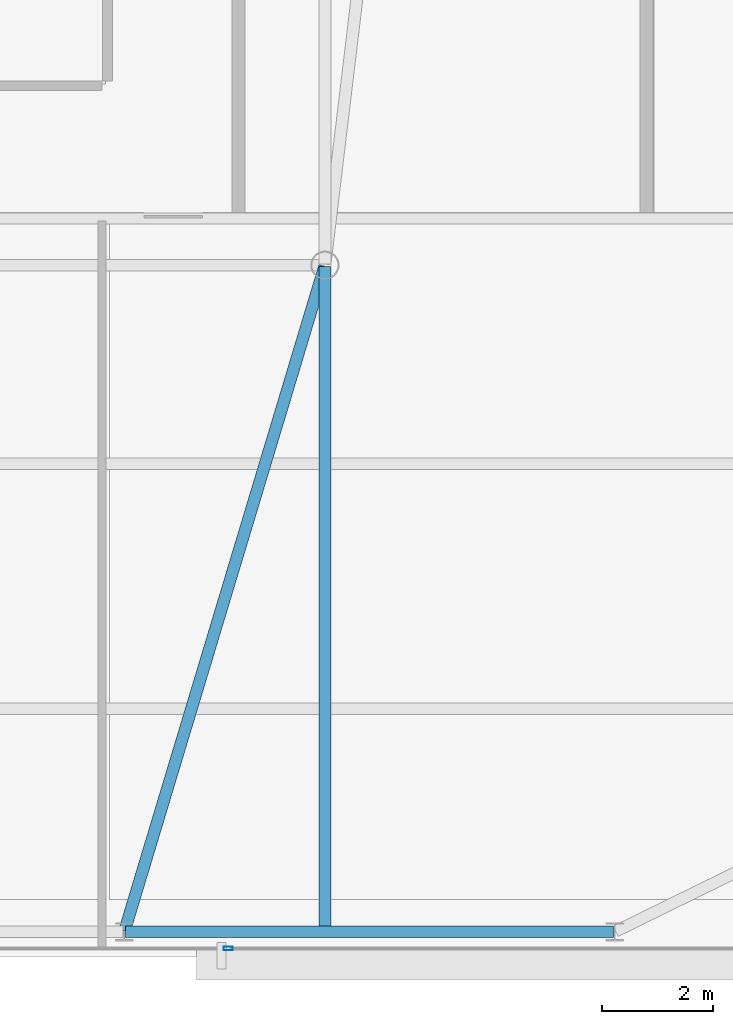
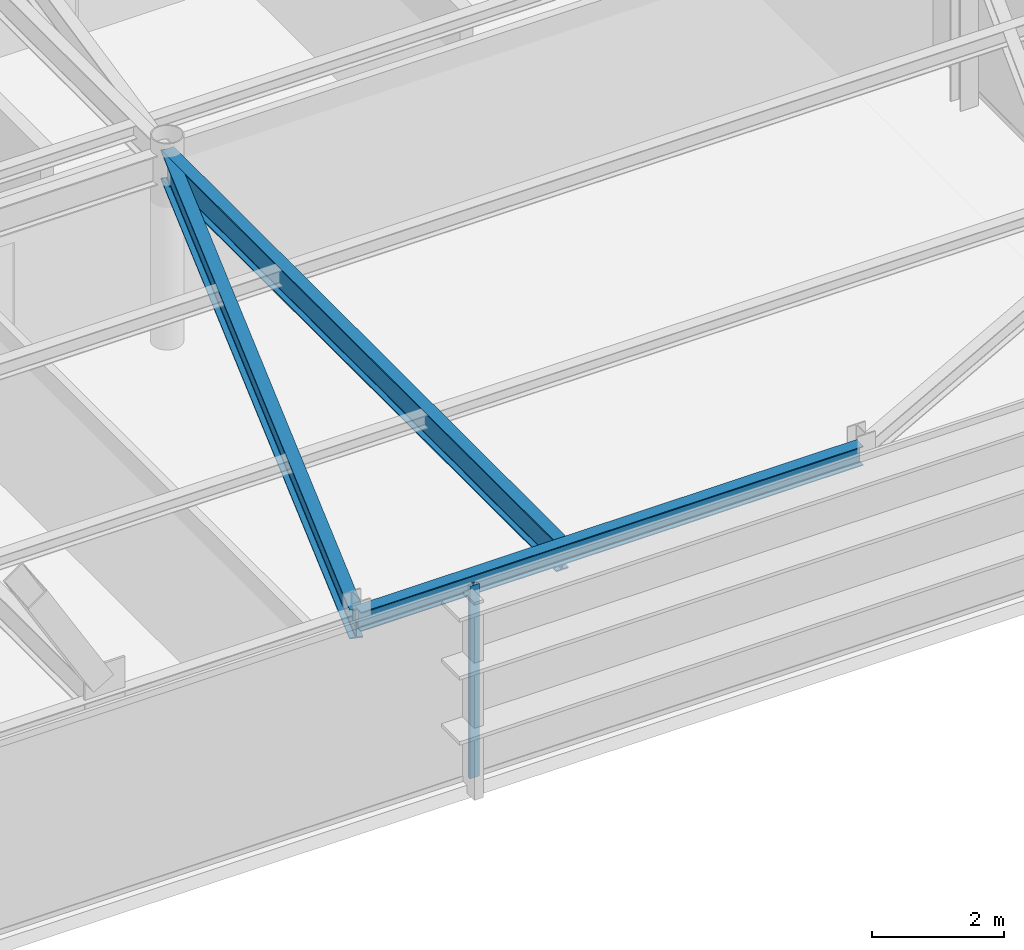
# One storey, part 8 of 24: 3 beams, 1 member, 1 element without a shape of its own.
"""IFC4 building model written with IfcOpenShell, lengths in metres."""

from ifc_helpers import new_model, si_unit, direction, frame, origin, origin_2d, place, context, subcontext, project, spatial, hollow_rectangle, i_section, extrude, source, transform, mapped, material, layer, layer_set, material_profile, profile_set, type_object, type_shapes, element, aggregate, save


model = new_model("IFC4")

# Units and contexts
model_context = context("Model", 3, precision=1e-05, world=origin(), true_north=direction((0.0, 1.0)))
body_context = subcontext(model_context, "Body", "Model", "MODEL_VIEW")
ifc_project = project(units=[si_unit("LENGTHUNIT", "METRE"), si_unit("AREAUNIT", "SQUARE_METRE"), si_unit("VOLUMEUNIT", "CUBIC_METRE"), si_unit("PLANEANGLEUNIT", "RADIAN"), si_unit("MASSUNIT", "GRAM", prefix="KILO")], contexts=[model_context])

# Site, building, storey
site_placement = place(None, origin())
site = spatial("IfcSite", under=ifc_project, at=site_placement, CompositionType="ELEMENT")
building_placement = place(site_placement, origin())
building = spatial("IfcBuilding", under=site, at=building_placement, Name="Varnel Quay Broadcast Tower", CompositionType="ELEMENT")
storey_placement = place(building_placement, frame((0.0, 0.0, 277.39990234375)))
storey = spatial("IfcBuildingStorey", under=building, at=storey_placement, Name="L69", CompositionType="ELEMENT", Elevation=277.39990234375)

# Beams
ifc_material_1 = material(Name="Structural Steel CSA G40.21 350W", Category="steel")
ifc_material_profile_1 = material_profile(ifc_material_1, i_section(OverallWidth=0.205078125, OverallDepth=0.35400390625, WebThickness=0.009521484375, FlangeThickness=0.016845703125, FilletRadius=0.012939453125, at=origin_2d()), Name="W360X79")
ifc_profile_set_1 = profile_set([ifc_material_profile_1], Name="Structural Steel CSA G40.21 350W")
beam_type_1 = type_object("IfcBeamType", Name="Beam_W360X79", PredefinedType="SPANDREL", material=ifc_profile_set_1)
shared_shape_1 = source(origin(), body_context, "Body", "SweptSolid", [
    extrude(i_section(OverallWidth=0.205078125, OverallDepth=0.35400390625, WebThickness=0.009521484375, FlangeThickness=0.016845703125, FilletRadius=0.012939453125, at=origin_2d()), origin(), (0.0, 0.0, 1.0), 8.760009765625),
])
type_shapes(beam_type_1, [shared_shape_1])
beam_1_placement = place(storey_placement, frame((38.419921875, 13.64990234375, 3.373046875), z_axis=(1.0, 0.0, 0.0), x_axis=(0.0, 1.0, 0.0)))
element("IfcBeam", 1, at=beam_1_placement, inside=storey, type_object=beam_type_1, Name="L69 South Spandrel TC-S3-TC-S4", PredefinedType="SPANDREL", context=body_context, shape_type="MappedRepresentation", body=[
    mapped(shared_shape_1, transform((0.0, 0.0, 0.0), x_axis=(1.0, 0.0, 0.0), y_axis=(0.0, 1.0, 0.0), z_axis=(0.0, 0.0, 1.0), scale=1.0)),
])
ifc_material_profile_2 = material_profile(ifc_material_1, i_section(OverallWidth=0.2119140625, OverallDepth=0.5439453125, WebThickness=0.01318359375, FlangeThickness=0.021240234375, FilletRadius=0.013916015625, at=origin_2d()), Name="W530X123")
ifc_profile_set_2 = profile_set([ifc_material_profile_2], Name="Structural Steel CSA G40.21 350W")
beam_type_2 = type_object("IfcBeamType", Name="Girder_W530X123", PredefinedType="BEAM", material=ifc_profile_set_2)
shared_shape_2 = source(origin(), body_context, "Body", "SweptSolid", [
    extrude(i_section(OverallWidth=0.2119140625, OverallDepth=0.5439453125, WebThickness=0.01318359375, FlangeThickness=0.021240234375, FilletRadius=0.013916015625, at=origin_2d()), origin(), (0.0, 0.0, 1.0), 12.449951171875),
])
beam_2_placement = place(storey_placement, frame((38.40576171875, 13.669189453125, 3.278076171875), z_axis=(0.28822390679, 0.957563042078, 0.0), x_axis=(-0.957563042078, 0.28822390679, 0.0)))
element("IfcBeam", 2, at=beam_2_placement, inside=storey, type_object=beam_type_2, Name="L69 Primary Girder TC-S3-IC-02", PredefinedType="BEAM", context=body_context, shape_type="MappedRepresentation", body=[
    mapped(shared_shape_2, transform((0.0, 0.0, 0.0), x_axis=(1.0, 0.0, 0.0), y_axis=(0.0, 1.0, 0.0), z_axis=(0.0, 0.0, 1.0), scale=1.0)),
])
shared_shape_3 = source(origin(), body_context, "Body", "SweptSolid", [
    extrude(i_section(OverallWidth=0.2119140625, OverallDepth=0.5439453125, WebThickness=0.01318359375, FlangeThickness=0.021240234375, FilletRadius=0.013916015625, at=origin_2d()), origin(), (0.0, 0.0, 1.0), 11.920166015625),
])
type_shapes(beam_type_2, [shared_shape_2, shared_shape_3])
beam_3_placement = place(storey_placement, frame((42.0, 13.669921875, 3.278076171875), z_axis=(0.0, 1.0, 0.0), x_axis=(-1.0, 0.0, 0.0)))
element("IfcBeam", 3, at=beam_3_placement, inside=storey, type_object=beam_type_2, Name="L69 N-S Joist Header IC-02S", PredefinedType="BEAM", context=body_context, shape_type="MappedRepresentation", body=[
    mapped(shared_shape_3, transform((0.0, 0.0, 0.0), x_axis=(1.0, 0.0, 0.0), y_axis=(0.0, 1.0, 0.0), z_axis=(0.0, 0.0, 1.0), scale=1.0)),
])

# Curtain wall, member
ifc_material_2 = material(Name="Anodised Bronze Aluminium 6063-T6", Category="aluminium")
ifc_layer = layer(ifc_material_2, 0.18994140625, Name="Anodised Bronze Aluminium 6063-T6")
ifc_layer_set = layer_set([ifc_layer], Name="Anodised Bronze Aluminium 6063-T6")
curtain_wall_type = type_object("IfcCurtainWallType", Name="CW_UpperTower", PredefinedType="NOTDEFINED", material=ifc_layer_set)
curtain_wall_placement = place(storey_placement, origin())
curtain_wall = element("IfcCurtainWall", 4, at=curtain_wall_placement, inside=storey, type_object=curtain_wall_type, Name="L69 South Unitised Curtain Wall 1", PredefinedType="NOTDEFINED")
ifc_material_profile_3 = material_profile(ifc_material_2, hollow_rectangle(XDim=0.06494140625, YDim=0.1650390625, WallThickness=0.00341796875, at=origin_2d()), Name="ALU65X165X3.5")
ifc_profile_set_3 = profile_set([ifc_material_profile_3], Name="Anodised Bronze Aluminium 6063-T6")
member_type = type_object("IfcMemberType", Name="Mull_CWS-03", PredefinedType="MULLION", material=ifc_profile_set_3)
shared_shape_4 = source(origin(), body_context, "Body", "SweptSolid", [
    extrude(hollow_rectangle(XDim=0.06494140625, YDim=0.1650390625, WallThickness=0.00341796875, at=origin_2d()), origin(), (0.0, 0.0, 1.0), 3.550048828125),
])
type_shapes(member_type, [shared_shape_4])
member_placement = place(storey_placement, frame((40.2666015625, 13.35009765625, 0.0), z_axis=(0.0, 0.0, 1.0), x_axis=(0.0, 1.0, 0.0)))
member = element("IfcMember", 5, at=member_placement, type_object=member_type, Name="CWS-03 mullion 3", PredefinedType="MULLION", context=body_context, shape_type="MappedRepresentation", body=[
    mapped(shared_shape_4, transform((0.0, 0.0, 0.0), x_axis=(1.0, 0.0, 0.0), y_axis=(0.0, 1.0, 0.0), z_axis=(0.0, 0.0, 1.0), scale=1.0)),
])
aggregate(curtain_wall, [member])

save(model, "model.ifc")
